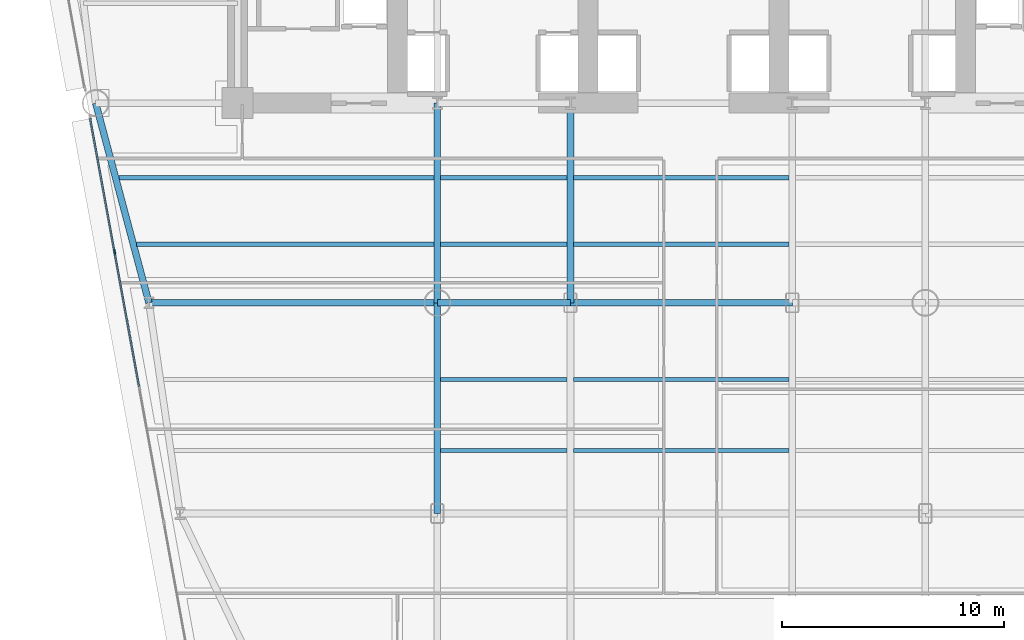
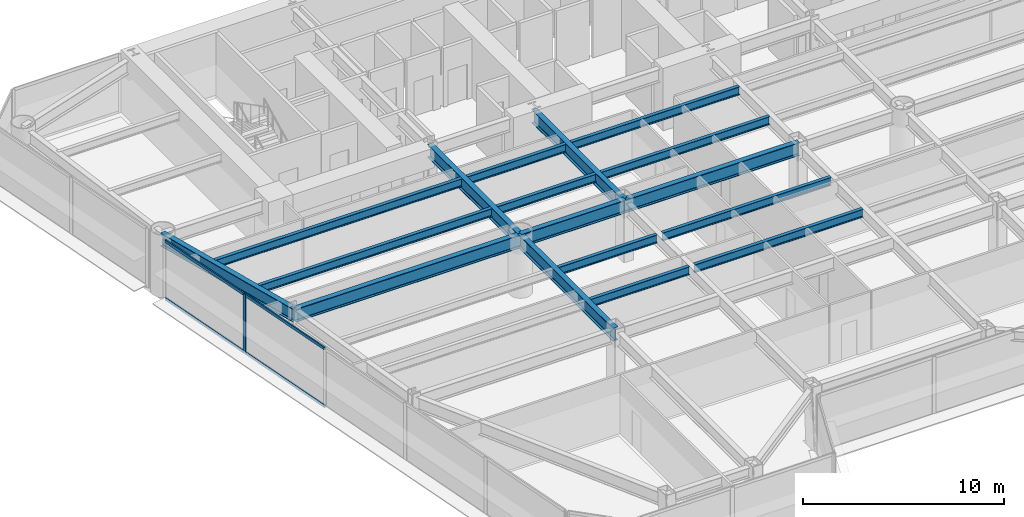
# One storey, part 3 of 14: 17 beams, 5 members, 1 element without a shape of its own.
"""IFC4 building model written with IfcOpenShell, lengths in metres."""

from ifc_helpers import new_model, si_unit, direction, frame, origin, origin_2d, place, context, subcontext, project, spatial, rectangle, i_section, extrude, source, transform, mapped, material, layer, layer_set, material_profile, profile_set, type_object, element, aggregate, save


model = new_model("IFC4")

# Units and contexts
model_context = context("Model", 3, precision=1e-05, world=origin(), true_north=direction((0.0, 1.0)))
body_context = subcontext(model_context, "Body", "Model", "MODEL_VIEW")
ifc_project = project(units=[si_unit("LENGTHUNIT", "METRE"), si_unit("AREAUNIT", "SQUARE_METRE"), si_unit("VOLUMEUNIT", "CUBIC_METRE"), si_unit("PLANEANGLEUNIT", "RADIAN"), si_unit("MASSUNIT", "GRAM", prefix="KILO")], contexts=[model_context])

# Site, building, storey
site_placement = place(None, origin())
site = spatial("IfcSite", under=ifc_project, at=site_placement, CompositionType="ELEMENT")
building_placement = place(site_placement, origin())
building = spatial("IfcBuilding", under=site, at=building_placement, Name="Vaeldorn Concourse Tower", CompositionType="ELEMENT")
storey_placement = place(building_placement, frame((0.0, 0.0, 68.199951171875)))
storey = spatial("IfcBuildingStorey", under=building, at=storey_placement, Name="L17", CompositionType="ELEMENT", Elevation=68.199951171875)

# Beams
ifc_material_1 = material(Name="Steel S355", Category="steel")
ifc_material_profile_1 = material_profile(ifc_material_1, i_section(OverallWidth=0.300048828125, OverallDepth=0.800048828125, WebThickness=0.017578125, FlangeThickness=0.032958984375, FilletRadius=0.030029296875, at=origin_2d()), Name="HEB 800")
ifc_profile_set_1 = profile_set([ifc_material_profile_1], Name="Steel S355")
beam_type_1 = type_object("IfcBeamType", Name="BM-PG-HEB800", PredefinedType="BEAM", material=ifc_profile_set_1)
shared_shape_1 = source(origin(), body_context, "Body", "SweptSolid", [
    extrude(i_section(OverallWidth=0.300048828125, OverallDepth=0.800048828125, WebThickness=0.017578125, FlangeThickness=0.032958984375, FilletRadius=0.030029296875, at=origin_2d()), origin(), (0.0, 0.0, 1.0), 6.0),
])
beam_1_placement = place(storey_placement, frame((23.0, 27.5, 3.179931640625), z_axis=(1.0, 0.0, 0.0), x_axis=(0.0, 1.0, 0.0)))
element("IfcBeam", 1, at=beam_1_placement, inside=storey, type_object=beam_type_1, Name="Beam BM-L17-C-TW1-C-TW2", PredefinedType="BEAM", context=body_context, shape_type="MappedRepresentation", body=[
    mapped(shared_shape_1, transform((0.0, 0.0, 0.0), scale=1.0)),
])
shared_shape_2 = source(origin(), body_context, "Body", "SweptSolid", [
    extrude(i_section(OverallWidth=0.300048828125, OverallDepth=0.800048828125, WebThickness=0.017578125, FlangeThickness=0.032958984375, FilletRadius=0.030029296875, at=origin_2d()), origin(), (0.0, 0.0, 1.0), 10.0),
])
beam_2_placement = place(storey_placement, frame((29.0, 27.5, 3.179931640625), z_axis=(1.0, 0.0, 0.0), x_axis=(0.0, 1.0, 0.0)))
element("IfcBeam", 2, at=beam_2_placement, inside=storey, type_object=beam_type_1, Name="Beam BM-L17-C-TW2-C-TW3", PredefinedType="BEAM", context=body_context, shape_type="MappedRepresentation", body=[
    mapped(shared_shape_2, transform((0.0, 0.0, 0.0), scale=1.0)),
])
shared_shape_3 = source(origin(), body_context, "Body", "SweptSolid", [
    extrude(i_section(OverallWidth=0.300048828125, OverallDepth=0.800048828125, WebThickness=0.017578125, FlangeThickness=0.032958984375, FilletRadius=0.030029296875, at=origin_2d()), origin(), (0.0, 0.0, 1.0), 9.0),
])
for number, where, z_axis, x_axis, name in (
    (3, (23.0, 27.5, 3.179931640625), (0.0, 1.0, 0.0), (-1.0, 0.0, 0.0), "Beam BM-L17-C-TW1-C-FC2"),
    (4, (29.0, 27.5, 3.179931640625), (0.0, 1.0, 0.0), (-1.0, 0.0, 0.0), "Beam BM-L17-C-TW2-C-FC3"),
):
    element("IfcBeam", number, at=place(storey_placement, frame(where, z_axis=z_axis, x_axis=x_axis)), inside=storey, type_object=beam_type_1, Name=name, PredefinedType="BEAM", context=body_context, shape_type="MappedRepresentation", body=[
        mapped(shared_shape_3, transform((0.0, 0.0, 0.0), scale=1.0)),
    ])
shared_shape_4 = source(origin(), body_context, "Body", "SweptSolid", [
    extrude(i_section(OverallWidth=0.300048828125, OverallDepth=0.800048828125, WebThickness=0.017578125, FlangeThickness=0.032958984375, FilletRadius=0.030029296875, at=origin_2d()), origin(), (0.0, 0.0, 1.0), 9.314453125),
])
beam_3_placement = place(storey_placement, frame((7.60009765625, 36.5, 3.179931640625), z_axis=(0.257652862255, -0.966237549763, 0.0), x_axis=(0.966237549763, 0.257652862255, 0.0)))
element("IfcBeam", 5, at=beam_3_placement, inside=storey, type_object=beam_type_1, Name="Beam BM-L17-C-NW2-C-FLW1", PredefinedType="BEAM", context=body_context, shape_type="MappedRepresentation", body=[
    mapped(shared_shape_4, transform((0.0, 0.0, 0.0), scale=1.0)),
])
shared_shape_5 = source(origin(), body_context, "Body", "SweptSolid", [
    extrude(i_section(OverallWidth=0.300048828125, OverallDepth=0.800048828125, WebThickness=0.017578125, FlangeThickness=0.032958984375, FilletRadius=0.030029296875, at=origin_2d()), origin(), (0.0, 0.0, 1.0), 13.0),
])
beam_4_placement = place(storey_placement, frame((10.0, 27.5, 3.179931640625), z_axis=(1.0, 0.0, 0.0), x_axis=(0.0, 1.0, 0.0)))
element("IfcBeam", 6, at=beam_4_placement, inside=storey, type_object=beam_type_1, Name="Beam BM-L17-C-FLW1-C-TW1", PredefinedType="BEAM", context=body_context, shape_type="MappedRepresentation", body=[
    mapped(shared_shape_5, transform((0.0, 0.0, 0.0), scale=1.0)),
])
shared_shape_6 = source(origin(), body_context, "Body", "SweptSolid", [
    extrude(i_section(OverallWidth=0.300048828125, OverallDepth=0.800048828125, WebThickness=0.017578125, FlangeThickness=0.032958984375, FilletRadius=0.030029296875, at=origin_2d()), origin(), (0.0, 0.0, 1.0), 9.5),
])
beam_5_placement = place(storey_placement, frame((23.0, 18.0, 3.179931640625), z_axis=(0.0, 1.0, 0.0), x_axis=(-1.0, 0.0, 0.0)))
element("IfcBeam", 7, at=beam_5_placement, inside=storey, type_object=beam_type_1, Name="Beam BM-L17-C-TW5-C-TW1", PredefinedType="BEAM", context=body_context, shape_type="MappedRepresentation", body=[
    mapped(shared_shape_6, transform((0.0, 0.0, 0.0), scale=1.0)),
])
ifc_material_profile_2 = material_profile(ifc_material_1, i_section(OverallWidth=0.199951171875, OverallDepth=0.5, WebThickness=0.01025390625, FlangeThickness=0.01611328125, FilletRadius=0.02099609375, at=origin_2d()), Name="IPE 500")
ifc_profile_set_2 = profile_set([ifc_material_profile_2], Name="Steel S355")
beam_type_2 = type_object("IfcBeamType", Name="BM-JS-IPE500", PredefinedType="JOIST", material=ifc_profile_set_2)
shared_shape_7 = source(origin(), body_context, "Body", "SweptSolid", [
    extrude(i_section(OverallWidth=0.199951171875, OverallDepth=0.5, WebThickness=0.01025390625, FlangeThickness=0.01611328125, FilletRadius=0.02099609375, at=origin_2d()), origin(), (0.0, 0.0, 1.0), 5.7001953125),
])
for number, where, z_axis, x_axis, name in (
    (8, (23.14990234375, 20.840087890625, 3.330078125), (1.0, 0.0, 0.0), (0.0, 1.0, 0.0), "Beam JS-L17-W2-208"),
    (9, (23.14990234375, 24.0400390625, 3.330078125), (1.0, 0.0, 0.0), (0.0, 1.0, 0.0), "Beam JS-L17-W2-240"),
    (10, (23.14990234375, 30.139892578125, 3.330078125), (1.0, 0.0, 0.0), (0.0, 1.0, 0.0), "Beam JS-L17-W2-301"),
    (11, (23.14990234375, 33.139892578125, 3.330078125), (1.0, 0.0, 0.0), (0.0, 1.0, 0.0), "Beam JS-L17-W2-331"),
):
    element("IfcBeam", number, at=place(storey_placement, frame(where, z_axis=z_axis, x_axis=x_axis)), inside=storey, type_object=beam_type_2, Name=name, PredefinedType="JOIST", context=body_context, shape_type="MappedRepresentation", body=[
        mapped(shared_shape_7, transform((0.0, 0.0, 0.0), scale=1.0)),
    ])
shared_shape_8 = source(origin(), body_context, "Body", "SweptSolid", [
    extrude(i_section(OverallWidth=0.199951171875, OverallDepth=0.5, WebThickness=0.01025390625, FlangeThickness=0.01611328125, FilletRadius=0.02099609375, at=origin_2d()), origin(), (0.0, 0.0, 1.0), 9.7001953125),
])
for number, where, z_axis, x_axis, name in (
    (12, (29.14990234375, 20.840087890625, 3.330078125), (1.0, 0.0, 0.0), (0.0, 1.0, 0.0), "Beam JS-L17-C-208"),
    (13, (29.14990234375, 24.0400390625, 3.330078125), (1.0, 0.0, 0.0), (0.0, 1.0, 0.0), "Beam JS-L17-C-240"),
    (14, (29.14990234375, 30.139892578125, 3.330078125), (1.0, 0.0, 0.0), (0.0, 1.0, 0.0), "Beam JS-L17-C-301"),
    (15, (29.14990234375, 33.139892578125, 3.330078125), (1.0, 0.0, 0.0), (0.0, 1.0, 0.0), "Beam JS-L17-C-331"),
):
    element("IfcBeam", number, at=place(storey_placement, frame(where, z_axis=z_axis, x_axis=x_axis)), inside=storey, type_object=beam_type_2, Name=name, PredefinedType="JOIST", context=body_context, shape_type="MappedRepresentation", body=[
        mapped(shared_shape_8, transform((0.0, 0.0, 0.0), scale=1.0)),
    ])
shared_shape_9 = source(origin(), body_context, "Body", "SweptSolid", [
    extrude(i_section(OverallWidth=0.199951171875, OverallDepth=0.5, WebThickness=0.01025390625, FlangeThickness=0.01611328125, FilletRadius=0.02099609375, at=origin_2d()), origin(), (0.0, 0.0, 1.0), 13.404052734375),
])
beam_6_placement = place(storey_placement, frame((9.446044921875, 30.139892578125, 3.330078125), z_axis=(1.0, 0.0, 0.0), x_axis=(0.0, 1.0, 0.0)))
element("IfcBeam", 16, at=beam_6_placement, inside=storey, type_object=beam_type_2, Name="Beam JS-L17-W1-301", PredefinedType="JOIST", context=body_context, shape_type="MappedRepresentation", body=[
    mapped(shared_shape_9, transform((0.0, 0.0, 0.0), scale=1.0)),
])
shared_shape_10 = source(origin(), body_context, "Body", "SweptSolid", [
    extrude(i_section(OverallWidth=0.199951171875, OverallDepth=0.5, WebThickness=0.01025390625, FlangeThickness=0.01611328125, FilletRadius=0.02099609375, at=origin_2d()), origin(), (0.0, 0.0, 1.0), 14.2041015625),
])
beam_7_placement = place(storey_placement, frame((8.64599609375, 33.139892578125, 3.330078125), z_axis=(1.0, 0.0, 0.0), x_axis=(0.0, 1.0, 0.0)))
element("IfcBeam", 17, at=beam_7_placement, inside=storey, type_object=beam_type_2, Name="Beam JS-L17-W1-331", PredefinedType="JOIST", context=body_context, shape_type="MappedRepresentation", body=[
    mapped(shared_shape_10, transform((0.0, 0.0, 0.0), scale=1.0)),
])

# Curtain wall, members
ifc_material_2 = material(Name="Anodised Bronze Aluminium", Category="aluminium")
ifc_layer = layer(ifc_material_2, 0.219970703125)
ifc_layer_set = layer_set([ifc_layer], Name="Anodised Bronze Aluminium")
curtain_wall_type = type_object("IfcCurtainWallType", Name="CW-SYS-01", PredefinedType="NOTDEFINED", material=ifc_layer_set)
curtain_wall_placement = place(storey_placement, origin())
curtain_wall = element("IfcCurtainWall", 18, at=curtain_wall_placement, inside=storey, type_object=curtain_wall_type, Name="Unitised Curtain Wall CW-L17-E11-2", PredefinedType="NOTDEFINED")
ifc_material_profile_3 = material_profile(ifc_material_2, rectangle(XDim=0.074951171875, YDim=0.219970703125, at=origin_2d()), Name="CWM 75x220")
ifc_profile_set_3 = profile_set([ifc_material_profile_3], Name="Anodised Bronze Aluminium")
member_type_1 = type_object("IfcMemberType", Name="CWM-BRONZE-220", PredefinedType="MULLION", material=ifc_profile_set_3)
shared_shape_11 = source(origin(), body_context, "Body", "SweptSolid", [
    extrude(rectangle(XDim=0.074951171875, YDim=0.219970703125, at=origin_2d()), origin(), (0.0, 0.0, 1.0), 3.580078125),
])
member_1_placement = place(storey_placement, frame((8.452392578125, 29.785888671875, 0.0), z_axis=(0.0, 0.0, 1.0), x_axis=(0.983746121623, 0.179564941431, 0.0)))
member_1 = element("IfcMember", 19, at=member_1_placement, type_object=member_type_1, Name="CW-01 mullion 2", PredefinedType="MULLION", context=body_context, shape_type="MappedRepresentation", body=[
    mapped(shared_shape_11, transform((0.0, 0.0, 0.0), scale=1.0)),
])
ifc_material_profile_4 = material_profile(ifc_material_2, rectangle(XDim=0.074951171875, YDim=0.179931640625, at=origin_2d()), Name="CWT 75x180")
ifc_profile_set_4 = profile_set([ifc_material_profile_4], Name="Anodised Bronze Aluminium")
member_type_2 = type_object("IfcMemberType", Name="CWT-BRONZE-180", PredefinedType="USERDEFINED", material=ifc_profile_set_4)
shared_shape_12 = source(origin(), body_context, "Body", "SweptSolid", [
    extrude(rectangle(XDim=0.074951171875, YDim=0.179931640625, at=origin_2d()), origin(), (0.0, 0.0, 1.0), 6.1201171875),
])
member_2_placement = place(storey_placement, frame((8.459228515625, 29.7490234375, 0.03759765625), z_axis=(0.179548862687, -0.983749056369, 0.0), x_axis=(0.983749056369, 0.179548862687, 0.0)))
member_2 = element("IfcMember", 20, at=member_2_placement, type_object=member_type_2, Name="CW-01 transom 2.1", ObjectType="TRANSOM", PredefinedType="USERDEFINED", context=body_context, shape_type="MappedRepresentation", body=[
    mapped(shared_shape_12, transform((0.0, 0.0, 0.0), scale=1.0)),
])
member_3_placement = place(storey_placement, frame((8.459228515625, 29.7490234375, 3.54248046875), z_axis=(0.179548862687, -0.983749056369, 0.0), x_axis=(0.983749056369, 0.179548862687, 0.0)))
member_3 = element("IfcMember", 21, at=member_3_placement, type_object=member_type_2, Name="CW-01 transom 2.2", ObjectType="TRANSOM", PredefinedType="USERDEFINED", context=body_context, shape_type="MappedRepresentation", body=[
    mapped(shared_shape_12, transform((0.0, 0.0, 0.0), scale=1.0)),
])
shared_shape_13 = source(origin(), body_context, "Body", "SweptSolid", [
    extrude(rectangle(XDim=0.074951171875, YDim=0.179931640625, at=origin_2d()), origin(), (0.0, 0.0, 1.0), 6.08251953125),
])
member_4_placement = place(storey_placement, frame((7.353515625, 35.806640625, 0.03759765625), z_axis=(0.179577695231, -0.983743793564, 0.0), x_axis=(0.983743793564, 0.179577695231, 0.0)))
member_4 = element("IfcMember", 22, at=member_4_placement, type_object=member_type_2, Name="CW-01 transom 1.1", ObjectType="TRANSOM", PredefinedType="USERDEFINED", context=body_context, shape_type="MappedRepresentation", body=[
    mapped(shared_shape_13, transform((0.0, 0.0, 0.0), scale=1.0)),
])
member_5_placement = place(storey_placement, frame((7.353515625, 35.806640625, 3.54248046875), z_axis=(0.179577695231, -0.983743793564, 0.0), x_axis=(0.983743793564, 0.179577695231, 0.0)))
member_5 = element("IfcMember", 23, at=member_5_placement, type_object=member_type_2, Name="CW-01 transom 1.2", ObjectType="TRANSOM", PredefinedType="USERDEFINED", context=body_context, shape_type="MappedRepresentation", body=[
    mapped(shared_shape_13, transform((0.0, 0.0, 0.0), scale=1.0)),
])
aggregate(curtain_wall, [member_1, member_4, member_5, member_2, member_3])

save(model, "model.ifc")
